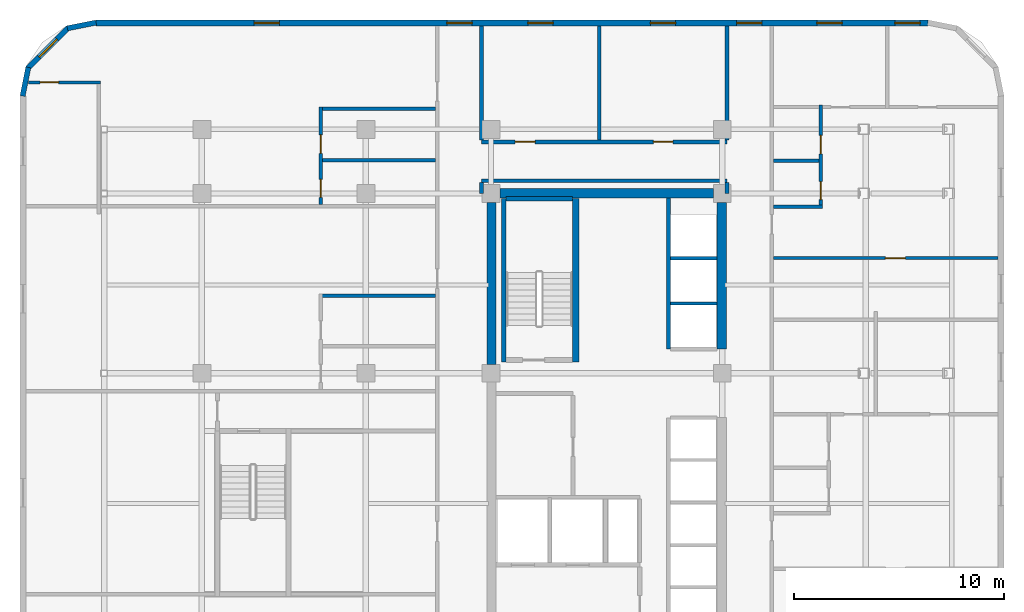
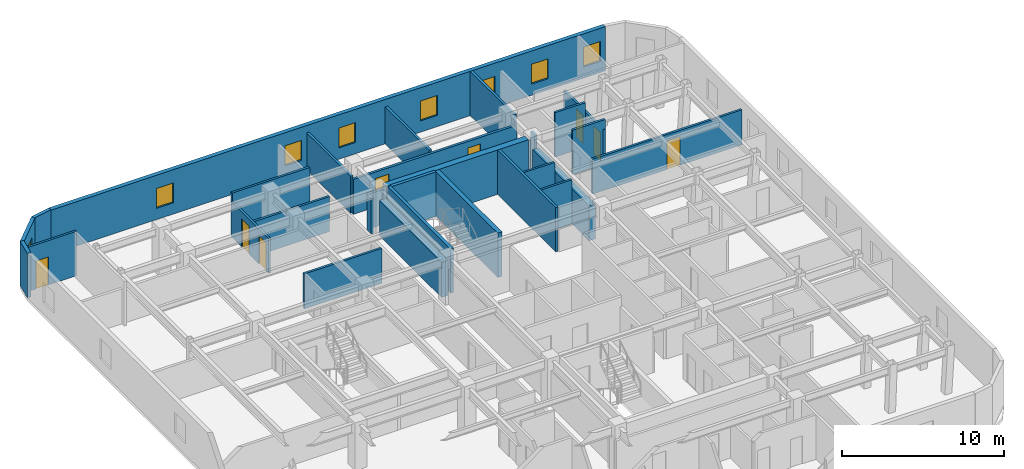
# One storey, part 11 of 13: 29 walls, 8 doors, 8 windows, 16 openings.
"""IFC4 building model written with IfcOpenShell, lengths in metres."""

from ifc_helpers import new_model, si_unit, direction, frame, frame_2d, origin, place, context, subcontext, project, spatial, rectangle, extrude, material, layer, layer_set, type_object, element, fill, save


model = new_model("IFC4")

# Units and contexts
model_context = context("Model", 3, precision=1e-05, world=origin(), true_north=direction((0.0, 1.0)))
body_context = subcontext(model_context, "Body", "Model", "MODEL_VIEW")
ifc_project = project(units=[si_unit("LENGTHUNIT", "METRE"), si_unit("AREAUNIT", "SQUARE_METRE"), si_unit("VOLUMEUNIT", "CUBIC_METRE"), si_unit("PLANEANGLEUNIT", "RADIAN"), si_unit("MASSUNIT", "GRAM", prefix="KILO")], contexts=[model_context])

# Site, building, storey
site_placement = place(None, origin())
site = spatial("IfcSite", under=ifc_project, at=site_placement, CompositionType="ELEMENT")
building_placement = place(site_placement, origin())
building = spatial("IfcBuilding", under=site, at=building_placement, Name="Ochreholt Gables", CompositionType="ELEMENT")
storey_placement = place(building_placement, frame((0.0, 0.0, 56.39990234375)))
storey = spatial("IfcBuildingStorey", under=building, at=storey_placement, Name="L14", CompositionType="ELEMENT", Elevation=56.39990234375)

# Walls
ifc_material_1 = material(Name="Concrete 60 MPa", Category="concrete")
ifc_layer_1 = layer(ifc_material_1, 0.449951171875, Name="Concrete 60 MPa")
ifc_layer_set_1 = layer_set([ifc_layer_1], Name="Concrete 60 MPa")
wall_type_1 = type_object("IfcWallType", Name="WALL-CSW-450", PredefinedType="SHEAR", material=ifc_layer_set_1)
wall_1_placement = place(storey_placement, frame((24.22509765625, 30.625, 0.0), z_axis=(0.0, 0.0, 1.0), x_axis=(0.0, 1.0, 0.0)))
element("IfcWall", 1, at=wall_1_placement, inside=storey, type_object=wall_type_1, Name="L14 Core West Shear Wall WN", PredefinedType="SHEAR", context=body_context, shape_type="SweptSolid", body=[
    extrude(rectangle(XDim=7.699951171875, YDim=0.449951171875, at=frame_2d((3.85009765625, 0.0))), origin(), (0.0, 0.0, 1.0), 2.656982421875),
])
wall_2_placement = place(storey_placement, frame((35.175048828125, 31.35009765625, 0.0), z_axis=(0.0, 0.0, 1.0), x_axis=(0.0, 1.0, 0.0)))
element("IfcWall", 2, at=wall_2_placement, inside=storey, type_object=wall_type_1, Name="L14 Core North-East Shear Wall", PredefinedType="SHEAR", context=body_context, shape_type="SweptSolid", body=[
    extrude(rectangle(XDim=6.974853515625, YDim=0.449951171875, at=frame_2d((3.4873046875, 0.0))), origin(), (0.0, 0.0, 1.0), 2.656982421875),
])
wall_3_placement = place(storey_placement, frame((24.625, 38.75, 0.0), z_axis=(0.0, 0.0, 1.0), x_axis=(1.0, 0.0, 0.0)))
element("IfcWall", 3, at=wall_3_placement, inside=storey, type_object=wall_type_1, Name="L14 Core North Shear Wall", PredefinedType="SHEAR", context=body_context, shape_type="SweptSolid", body=[
    extrude(rectangle(XDim=10.14990234375, YDim=0.449951171875, at=frame_2d((5.074951171875, 0.0))), origin(), (0.0, 0.0, 1.0), 3.35009765625),
])

# Wall, openings, windows
ifc_material_2 = material(Name="Precast concrete 40 MPa", Category="concrete")
ifc_layer_2 = layer(ifc_material_2, 0.2900390625, Name="Precast concrete 40 MPa")
ifc_layer_set_2 = layer_set([ifc_layer_2], Name="Precast concrete 40 MPa")
wall_type_2 = type_object("IfcWallType", Name="WALL-EXT-290", PredefinedType="SOLIDWALL", material=ifc_layer_set_2)
wall_4_placement = place(storey_placement, frame((44.97998046875, 46.85498046875, 0.0), z_axis=(0.0, 0.0, 1.0), x_axis=(-1.0, 0.0, 0.0)))
wall_4 = element("IfcWall", 4, at=wall_4_placement, inside=storey, type_object=wall_type_2, Name="L14 North Exterior Wall", PredefinedType="SOLIDWALL", context=body_context, shape_type="SweptSolid", body=[
    extrude(rectangle(XDim=39.56005859375, YDim=0.2900390625, at=frame_2d((19.780029296875, 0.0))), origin(), (0.0, 0.0, 1.0), 3.35009765625),
])
opening_1_placement = place(wall_4_placement, frame((30.844970703125, 0.0, 0.85009765625)))
opening_1 = element("IfcOpeningElement", 5, at=opening_1_placement, cuts=wall_4, Name="Opening WN-3", PredefinedType="OPENING", context=body_context, shape_type="SweptSolid", body=[
    extrude(rectangle(XDim=1.199951171875, YDim=1.5, at=frame_2d((0.60009765625, 0.75))), frame((0.0, 0.155029296875, 0.0), z_axis=(0.0, -1.0, 0.0), x_axis=(1.0, 0.0, 0.0)), (0.0, 0.0, 1.0), 0.31005859375),
])
opening_2_placement = place(wall_4_placement, frame((21.679931640625, 0.0, 0.85009765625)))
opening_2 = element("IfcOpeningElement", 6, at=opening_2_placement, cuts=wall_4, Name="Opening WN-3", PredefinedType="OPENING", context=body_context, shape_type="SweptSolid", body=[
    extrude(rectangle(XDim=1.199951171875, YDim=1.5, at=frame_2d((0.60009765625, 0.75))), frame((0.0, 0.155029296875, 0.0), z_axis=(0.0, -1.0, 0.0), x_axis=(1.0, 0.0, 0.0)), (0.0, 0.0, 1.0), 0.31005859375),
])
opening_3_placement = place(wall_4_placement, frame((17.8291015625, 0.0, 0.85009765625)))
opening_3 = element("IfcOpeningElement", 7, at=opening_3_placement, cuts=wall_4, Name="Opening WN-3", PredefinedType="OPENING", context=body_context, shape_type="SweptSolid", body=[
    extrude(rectangle(XDim=1.199951171875, YDim=1.5, at=frame_2d((0.60009765625, 0.75))), frame((0.0, 0.155029296875, 0.0), z_axis=(0.0, -1.0, 0.0), x_axis=(1.0, 0.0, 0.0)), (0.0, 0.0, 1.0), 0.31005859375),
])
opening_4_placement = place(wall_4_placement, frame((11.994140625, 0.0, 0.85009765625)))
opening_4 = element("IfcOpeningElement", 8, at=opening_4_placement, cuts=wall_4, Name="Opening WN-3", PredefinedType="OPENING", context=body_context, shape_type="SweptSolid", body=[
    extrude(rectangle(XDim=1.199951171875, YDim=1.5, at=frame_2d((0.60009765625, 0.75))), frame((0.0, 0.155029296875, 0.0), z_axis=(0.0, -1.0, 0.0), x_axis=(1.0, 0.0, 0.0)), (0.0, 0.0, 1.0), 0.31005859375),
])
opening_5_placement = place(wall_4_placement, frame((7.89501953125, 0.0, 0.85009765625)))
opening_5 = element("IfcOpeningElement", 9, at=opening_5_placement, cuts=wall_4, Name="Opening WN-3", PredefinedType="OPENING", context=body_context, shape_type="SweptSolid", body=[
    extrude(rectangle(XDim=1.199951171875, YDim=1.5, at=frame_2d((0.60009765625, 0.75))), frame((0.0, 0.155029296875, 0.0), z_axis=(0.0, -1.0, 0.0), x_axis=(1.0, 0.0, 0.0)), (0.0, 0.0, 1.0), 0.31005859375),
])
opening_6_placement = place(wall_4_placement, frame((4.08251953125, 0.0, 0.85009765625)))
opening_6 = element("IfcOpeningElement", 10, at=opening_6_placement, cuts=wall_4, Name="Opening WN-3", PredefinedType="OPENING", context=body_context, shape_type="SweptSolid", body=[
    extrude(rectangle(XDim=1.199951171875, YDim=1.5, at=frame_2d((0.60009765625, 0.75))), frame((0.0, 0.155029296875, 0.0), z_axis=(0.0, -1.0, 0.0), x_axis=(1.0, 0.0, 0.0)), (0.0, 0.0, 1.0), 0.31005859375),
])
opening_7_placement = place(wall_4_placement, frame((0.367431640625, 0.0, 0.85009765625)))
opening_7 = element("IfcOpeningElement", 11, at=opening_7_placement, cuts=wall_4, Name="Opening WN-3", PredefinedType="OPENING", context=body_context, shape_type="SweptSolid", body=[
    extrude(rectangle(XDim=1.199951171875, YDim=1.5, at=frame_2d((0.60009765625, 0.75))), frame((0.0, 0.155029296875, 0.0), z_axis=(0.0, -1.0, 0.0), x_axis=(1.0, 0.0, 0.0)), (0.0, 0.0, 1.0), 0.31005859375),
])
ifc_material_3 = material(Name="Triple-Glazed Thermally Broken Aluminium Window", Category="aluminium")
window_type = type_object("IfcWindowType", Name="WIN-RES-1200", PartitioningType="SINGLE_PANEL", PredefinedType="WINDOW", material=ifc_material_3)
window_1_placement = place(opening_1_placement, origin())
window_1 = element("IfcWindow", 12, at=window_1_placement, inside=storey, type_object=window_type, Name="L14 Window W-EXT-N-L14-1", OverallHeight=1.5, OverallWidth=1.199951171875, PartitioningType="SINGLE_PANEL", PredefinedType="WINDOW", context=body_context, shape_type="SweptSolid", body=[
    extrude(rectangle(XDim=1.199951171875, YDim=1.5, at=frame_2d((0.60009765625, 0.75))), frame((0.0, 0.030029296875, 0.0), z_axis=(0.0, -1.0, 0.0), x_axis=(1.0, 0.0, 0.0)), (0.0, 0.0, 1.0), 0.06005859375),
])
fill(opening_1, window_1)
window_2_placement = place(opening_2_placement, origin())
window_2 = element("IfcWindow", 13, at=window_2_placement, inside=storey, type_object=window_type, Name="L14 Window W-EXT-N-L14-2", OverallHeight=1.5, OverallWidth=1.199951171875, PartitioningType="SINGLE_PANEL", PredefinedType="WINDOW", context=body_context, shape_type="SweptSolid", body=[
    extrude(rectangle(XDim=1.199951171875, YDim=1.5, at=frame_2d((0.60009765625, 0.75))), frame((0.0, 0.030029296875, 0.0), z_axis=(0.0, -1.0, 0.0), x_axis=(1.0, 0.0, 0.0)), (0.0, 0.0, 1.0), 0.06005859375),
])
fill(opening_2, window_2)
window_3_placement = place(opening_3_placement, origin())
window_3 = element("IfcWindow", 14, at=window_3_placement, inside=storey, type_object=window_type, Name="L14 Window W-EXT-N-L14-3", OverallHeight=1.5, OverallWidth=1.199951171875, PartitioningType="SINGLE_PANEL", PredefinedType="WINDOW", context=body_context, shape_type="SweptSolid", body=[
    extrude(rectangle(XDim=1.199951171875, YDim=1.5, at=frame_2d((0.60009765625, 0.75))), frame((0.0, 0.030029296875, 0.0), z_axis=(0.0, -1.0, 0.0), x_axis=(1.0, 0.0, 0.0)), (0.0, 0.0, 1.0), 0.06005859375),
])
fill(opening_3, window_3)
window_4_placement = place(opening_4_placement, origin())
window_4 = element("IfcWindow", 15, at=window_4_placement, inside=storey, type_object=window_type, Name="L14 Window W-EXT-N-L14-4", OverallHeight=1.5, OverallWidth=1.199951171875, PartitioningType="SINGLE_PANEL", PredefinedType="WINDOW", context=body_context, shape_type="SweptSolid", body=[
    extrude(rectangle(XDim=1.199951171875, YDim=1.5, at=frame_2d((0.60009765625, 0.75))), frame((0.0, 0.030029296875, 0.0), z_axis=(0.0, -1.0, 0.0), x_axis=(1.0, 0.0, 0.0)), (0.0, 0.0, 1.0), 0.06005859375),
])
fill(opening_4, window_4)
window_5_placement = place(opening_5_placement, origin())
window_5 = element("IfcWindow", 16, at=window_5_placement, inside=storey, type_object=window_type, Name="L14 Window W-EXT-N-L14-5", OverallHeight=1.5, OverallWidth=1.199951171875, PartitioningType="SINGLE_PANEL", PredefinedType="WINDOW", context=body_context, shape_type="SweptSolid", body=[
    extrude(rectangle(XDim=1.199951171875, YDim=1.5, at=frame_2d((0.60009765625, 0.75))), frame((0.0, 0.030029296875, 0.0), z_axis=(0.0, -1.0, 0.0), x_axis=(1.0, 0.0, 0.0)), (0.0, 0.0, 1.0), 0.06005859375),
])
fill(opening_5, window_5)
window_6_placement = place(opening_6_placement, origin())
window_6 = element("IfcWindow", 17, at=window_6_placement, inside=storey, type_object=window_type, Name="L14 Window W-EXT-N-L14-6", OverallHeight=1.5, OverallWidth=1.199951171875, PartitioningType="SINGLE_PANEL", PredefinedType="WINDOW", context=body_context, shape_type="SweptSolid", body=[
    extrude(rectangle(XDim=1.199951171875, YDim=1.5, at=frame_2d((0.60009765625, 0.75))), frame((0.0, 0.030029296875, 0.0), z_axis=(0.0, -1.0, 0.0), x_axis=(1.0, 0.0, 0.0)), (0.0, 0.0, 1.0), 0.06005859375),
])
fill(opening_6, window_6)
window_7_placement = place(opening_7_placement, origin())
window_7 = element("IfcWindow", 18, at=window_7_placement, inside=storey, type_object=window_type, Name="L14 Window W-EXT-N-L14-7", OverallHeight=1.5, OverallWidth=1.199951171875, PartitioningType="SINGLE_PANEL", PredefinedType="WINDOW", context=body_context, shape_type="SweptSolid", body=[
    extrude(rectangle(XDim=1.199951171875, YDim=1.5, at=frame_2d((0.60009765625, 0.75))), frame((0.0, 0.030029296875, 0.0), z_axis=(0.0, -1.0, 0.0), x_axis=(1.0, 0.0, 0.0)), (0.0, 0.0, 1.0), 0.06005859375),
])
fill(opening_7, window_7)

# Wall
ifc_layer_3 = layer(ifc_material_2, 0.25, Name="Precast concrete 40 MPa")
ifc_layer_set_3 = layer_set([ifc_layer_3], Name="Precast concrete 40 MPa")
wall_type_3 = type_object("IfcWallType", Name="WALL-EXT-CNR", PredefinedType="SOLIDWALL", material=ifc_layer_set_3)
wall_5_placement = place(storey_placement, frame((5.41650390625, 46.875732421875, 0.0), z_axis=(0.0, 0.0, 1.0), x_axis=(-0.980809899341, -0.19496651342, 0.0)))
element("IfcWall", 19, at=wall_5_placement, inside=storey, type_object=wall_type_3, Name="L14 Rounded Corner Wall NW-1", PredefinedType="SOLIDWALL", context=body_context, shape_type="SweptSolid", body=[
    extrude(rectangle(XDim=1.388671875, YDim=0.25, at=frame_2d((0.6943359375, 0.0))), origin(), (0.0, 0.0, 1.0), 3.35009765625),
])

# Wall, opening, window
wall_6_placement = place(storey_placement, frame((4.10498046875, 46.632080078125, 0.0), z_axis=(0.0, 0.0, 1.0), x_axis=(-0.707106781187, -0.707106781187, 0.0)))
wall_6 = element("IfcWall", 20, at=wall_6_placement, inside=storey, type_object=wall_type_3, Name="L14 Rounded Corner Wall NW-2", PredefinedType="SOLIDWALL", context=body_context, shape_type="SweptSolid", body=[
    extrude(rectangle(XDim=2.7392578125, YDim=0.25, at=frame_2d((1.36962890625, 0.0))), origin(), (0.0, 0.0, 1.0), 3.35009765625),
])
opening_8_placement = place(wall_6_placement, frame((0.769775390625, 0.0, 0.85009765625)))
opening_8 = element("IfcOpeningElement", 21, at=opening_8_placement, cuts=wall_6, Name="Opening WN-3", PredefinedType="OPENING", context=body_context, shape_type="SweptSolid", body=[
    extrude(rectangle(XDim=1.199951171875, YDim=1.5, at=frame_2d((0.60009765625, 0.75))), frame((0.0, 0.135009765625, 0.0), z_axis=(0.0, -1.0, 0.0), x_axis=(1.0, 0.0, 0.0)), (0.0, 0.0, 1.0), 0.27001953125),
])
window_8_placement = place(opening_8_placement, origin())
window_8 = element("IfcWindow", 22, at=window_8_placement, inside=storey, type_object=window_type, Name="L14 Corner Bedroom Window NW", OverallHeight=1.5, OverallWidth=1.199951171875, PartitioningType="SINGLE_PANEL", PredefinedType="WINDOW", context=body_context, shape_type="SweptSolid", body=[
    extrude(rectangle(XDim=1.199951171875, YDim=1.5, at=frame_2d((0.60009765625, 0.75))), frame((0.0, 0.030029296875, 0.0), z_axis=(0.0, -1.0, 0.0), x_axis=(1.0, 0.0, 0.0)), (0.0, 0.0, 1.0), 0.06005859375),
])
fill(opening_8, window_8)

# Wall
wall_7_placement = place(storey_placement, frame((2.195068359375, 44.74560546875, 0.0), z_axis=(0.0, 0.0, 1.0), x_axis=(-0.19496651342, -0.980809899341, 0.0)))
element("IfcWall", 23, at=wall_7_placement, inside=storey, type_object=wall_type_3, Name="L14 Rounded Corner Wall NW-3", PredefinedType="SOLIDWALL", context=body_context, shape_type="SweptSolid", body=[
    extrude(rectangle(XDim=1.388671875, YDim=0.25, at=frame_2d((0.6943359375, 0.0))), origin(), (0.0, 0.0, 1.0), 3.35009765625),
])

# Wall, openings, doors
ifc_material_4 = material(Name="Fire-Rated Gypsum Acoustic Partition", Category="gypsum")
ifc_layer_4 = layer(ifc_material_4, 0.179931640625, Name="Fire-Rated Gypsum Acoustic Partition")
ifc_layer_set_4 = layer_set([ifc_layer_4], Name="Fire-Rated Gypsum Acoustic Partition")
wall_type_4 = type_object("IfcWallType", Name="WALL-INT-CR180", PredefinedType="STANDARD", material=ifc_layer_set_4)
wall_8_placement = place(storey_placement, frame((23.75, 41.199951171875, 0.0), z_axis=(0.0, 0.0, 1.0), x_axis=(1.0, 0.0, 0.0)))
wall_8 = element("IfcWall", 24, at=wall_8_placement, inside=storey, type_object=wall_type_4, Name="L14 Interior Wall WI-C1N-L14", PredefinedType="STANDARD", context=body_context, shape_type="SweptSolid", body=[
    extrude(rectangle(XDim=11.669921875, YDim=0.179931640625, at=frame_2d((5.8349609375, 0.0))), origin(), (0.0, 0.0, 1.0), 2.63916015625),
])
opening_9_placement = place(wall_8_placement, frame((1.60009765625, 0.0, 0.0)))
opening_9 = element("IfcOpeningElement", 25, at=opening_9_placement, cuts=wall_8, Name="Opening D-GN1", PredefinedType="OPENING", context=body_context, shape_type="SweptSolid", body=[
    extrude(rectangle(XDim=0.949951171875, YDim=2.14990234375, at=frame_2d((0.47509765625, 1.074951171875))), frame((0.0, 0.099853515625, 0.0), z_axis=(0.0, -1.0, 0.0), x_axis=(1.0, 0.0, 0.0)), (0.0, 0.0, 1.0), 0.199951171875),
])
opening_10_placement = place(wall_8_placement, frame((8.17578125, 0.0, 0.0)))
opening_10 = element("IfcOpeningElement", 26, at=opening_10_placement, cuts=wall_8, Name="Opening D-UN1", PredefinedType="OPENING", context=body_context, shape_type="SweptSolid", body=[
    extrude(rectangle(XDim=0.919921875, YDim=2.14990234375, at=frame_2d((0.4599609375, 1.074951171875))), frame((0.0, 0.099853515625, 0.0), z_axis=(0.0, -1.0, 0.0), x_axis=(1.0, 0.0, 0.0)), (0.0, 0.0, 1.0), 0.199951171875),
])
ifc_material_5 = material(Name="Engineered Oak Timber", Category="wood")
door_type_1 = type_object("IfcDoorType", Name="DR-INT-GEN950", OperationType="NOTDEFINED", PredefinedType="DOOR", material=ifc_material_5)
door_1_placement = place(opening_9_placement, origin())
door_1 = element("IfcDoor", 27, at=door_1_placement, inside=storey, type_object=door_type_1, Name="L14 Door D-C1NL-L14", OperationType="SINGLE_SWING_RIGHT", OverallHeight=2.14990234375, OverallWidth=0.949951171875, PredefinedType="DOOR", context=body_context, shape_type="SweptSolid", body=[
    extrude(rectangle(XDim=0.949951171875, YDim=2.14990234375, at=frame_2d((0.47509765625, 1.074951171875))), frame((0.0, 0.02490234375, 0.0), z_axis=(0.0, -1.0, 0.0), x_axis=(1.0, 0.0, 0.0)), (0.0, 0.0, 1.0), 0.050048828125),
])
fill(opening_9, door_1)
door_type_2 = type_object("IfcDoorType", Name="DR-INT-UNT920", OperationType="NOTDEFINED", PredefinedType="DOOR", material=ifc_material_5)
door_2_placement = place(opening_10_placement, origin())
door_2 = element("IfcDoor", 28, at=door_2_placement, inside=storey, type_object=door_type_2, Name="L14 Door D-U-L14N1-ENT", OperationType="SINGLE_SWING_RIGHT", OverallHeight=2.14990234375, OverallWidth=0.919921875, PredefinedType="DOOR", context=body_context, shape_type="SweptSolid", body=[
    extrude(rectangle(XDim=0.919921875, YDim=2.14990234375, at=frame_2d((0.4599609375, 1.074951171875))), frame((0.0, 0.02490234375, 0.0), z_axis=(0.0, -1.0, 0.0), x_axis=(1.0, 0.0, 0.0)), (0.0, 0.0, 1.0), 0.050048828125),
])
fill(opening_10, door_2)

# Walls
wall_9_placement = place(storey_placement, frame((23.75, 39.35009765625, 0.0), z_axis=(0.0, 0.0, 1.0), x_axis=(1.0, 0.0, 0.0)))
element("IfcWall", 29, at=wall_9_placement, inside=storey, type_object=wall_type_4, Name="L14 Interior Wall WI-C1N2-L14", PredefinedType="STANDARD", context=body_context, shape_type="SweptSolid", body=[
    extrude(rectangle(XDim=11.669921875, YDim=0.179931640625, at=frame_2d((5.8349609375, 0.0))), origin(), (0.0, 0.0, 1.0), 2.63916015625),
])
wall_10_placement = place(storey_placement, frame((35.419921875, 38.75, 0.0), z_axis=(0.0, 0.0, 1.0), x_axis=(0.0, 1.0, 0.0)))
element("IfcWall", 30, at=wall_10_placement, inside=storey, type_object=wall_type_4, Name="L14 Interior Wall WI-C1ENW2-L14", PredefinedType="STANDARD", context=body_context, shape_type="SweptSolid", body=[
    extrude(rectangle(XDim=0.510009765625, YDim=0.179931640625, at=frame_2d((0.2548828125, 0.0))), origin(), (0.0, 0.0, 1.0), 3.35009765625),
])
wall_11_placement = place(storey_placement, frame((23.75, 38.75, 0.0), z_axis=(0.0, 0.0, 1.0), x_axis=(0.0, 1.0, 0.0)))
element("IfcWall", 31, at=wall_11_placement, inside=storey, type_object=wall_type_4, Name="L14 Interior Wall WI-C1NWA2-L14", PredefinedType="STANDARD", context=body_context, shape_type="SweptSolid", body=[
    extrude(rectangle(XDim=0.510009765625, YDim=0.179931640625, at=frame_2d((0.2548828125, 0.0))), origin(), (0.0, 0.0, 1.0), 2.63916015625),
])
ifc_material_6 = material(Name="Double-Stud Acoustic Demising Wall", Category="gypsum")
ifc_layer_5 = layer(ifc_material_6, 0.179931640625, Name="Double-Stud Acoustic Demising Wall")
ifc_layer_set_5 = layer_set([ifc_layer_5], Name="Double-Stud Acoustic Demising Wall")
wall_type_5 = type_object("IfcWallType", Name="WALL-INT-DM180", PredefinedType="PARTITIONING", material=ifc_layer_set_5)
wall_12_placement = place(storey_placement, frame((35.419921875, 41.2900390625, 0.0), z_axis=(0.0, 0.0, 1.0), x_axis=(0.0, 1.0, 0.0)))
element("IfcWall", 32, at=wall_12_placement, inside=storey, type_object=wall_type_5, Name="L14 Interior Wall WI-C1ENW-L14", PredefinedType="PARTITIONING", context=body_context, shape_type="SweptSolid", body=[
    extrude(rectangle(XDim=5.419921875, YDim=0.179931640625, at=frame_2d((2.7099609375, 0.0))), origin(), (0.0, 0.0, 1.0), 3.35009765625),
])
for number, where, z_axis, x_axis, name in (
    (33, (23.75, 41.2900390625, 0.0), (0.0, 0.0, 1.0), (0.0, 1.0, 0.0), "L14 Interior Wall WI-C1NWA-L14"),
    (34, (29.3515625, 41.2900390625, 0.0), (0.0, 0.0, 1.0), (0.0, 1.0, 0.0), "L14 Interior Wall WI-UDN1-L14"),
):
    element("IfcWall", number, at=place(storey_placement, frame(where, z_axis=z_axis, x_axis=x_axis)), inside=storey, type_object=wall_type_5, Name=name, PredefinedType="PARTITIONING", context=body_context, shape_type="SweptSolid", body=[
        extrude(rectangle(XDim=5.419921875, YDim=0.179931640625, at=frame_2d((2.7099609375, 0.0))), origin(), (0.0, 0.0, 1.0), 2.799072265625),
    ])
ifc_material_7 = material(Name="Moisture-Resistant Plumbing Chase Wall", Category="gypsum")
ifc_layer_6 = layer(ifc_material_7, 0.159912109375, Name="Moisture-Resistant Plumbing Chase Wall")
ifc_layer_set_6 = layer_set([ifc_layer_6], Name="Moisture-Resistant Plumbing Chase Wall")
wall_type_6 = type_object("IfcWallType", Name="WALL-INT-PL160", PredefinedType="PLUMBINGWALL", material=ifc_layer_set_6)
wall_13_placement = place(storey_placement, frame((37.639892578125, 38.12451171875, 0.0), z_axis=(0.0, 0.0, 1.0), x_axis=(1.0, 0.0, 0.0)))
element("IfcWall", 35, at=wall_13_placement, inside=storey, type_object=wall_type_6, Name="L14 Interior Wall WU-L14E3-FYS", PredefinedType="PLUMBINGWALL", context=body_context, shape_type="SweptSolid", body=[
    extrude(rectangle(XDim=2.330078125, YDim=0.159912109375, at=frame_2d((1.1650390625, 0.0))), origin(), (0.0, 0.0, 1.0), 3.35009765625),
])

# Wall, openings, doors
wall_14_placement = place(storey_placement, frame((39.889892578125, 38.034423828125, 0.0), z_axis=(0.0, 0.0, 1.0), x_axis=(0.0, 1.0, 0.0)))
wall_14 = element("IfcWall", 36, at=wall_14_placement, inside=storey, type_object=wall_type_6, Name="L14 Interior Wall WU-L14E3-WX", PredefinedType="PLUMBINGWALL", context=body_context, shape_type="SweptSolid", body=[
    extrude(rectangle(XDim=4.91552734375, YDim=0.159912109375, at=frame_2d((2.457763671875, 0.0))), origin(), (0.0, 0.0, 1.0), 2.63916015625),
])
opening_11_placement = place(wall_14_placement, frame((0.419921875, 0.0, 0.0)))
opening_11 = element("IfcOpeningElement", 37, at=opening_11_placement, cuts=wall_14, Name="Opening D-BT1", PredefinedType="OPENING", context=body_context, shape_type="SweptSolid", body=[
    extrude(rectangle(XDim=0.860107421875, YDim=2.1201171875, at=frame_2d((0.43017578125, 1.06005859375))), frame((0.0, 0.08984375, 0.0), z_axis=(0.0, -1.0, 0.0), x_axis=(1.0, 0.0, 0.0)), (0.0, 0.0, 1.0), 0.179931640625),
])
opening_12_placement = place(wall_14_placement, frame((2.598388671875, 0.0, 0.0)))
opening_12 = element("IfcOpeningElement", 38, at=opening_12_placement, cuts=wall_14, Name="Opening D-GN2", PredefinedType="OPENING", context=body_context, shape_type="SweptSolid", body=[
    extrude(rectangle(XDim=0.8798828125, YDim=2.1201171875, at=frame_2d((0.43994140625, 1.06005859375))), frame((0.0, 0.08984375, 0.0), z_axis=(0.0, -1.0, 0.0), x_axis=(1.0, 0.0, 0.0)), (0.0, 0.0, 1.0), 0.179931640625),
])
door_type_3 = type_object("IfcDoorType", Name="DR-INT-BTH860", OperationType="NOTDEFINED", PredefinedType="DOOR", material=ifc_material_5)
door_3_placement = place(opening_11_placement, origin())
door_3 = element("IfcDoor", 39, at=door_3_placement, inside=storey, type_object=door_type_3, Name="L14 Door D-U-L14E3-BTH", OperationType="SINGLE_SWING_LEFT", OverallHeight=2.1201171875, OverallWidth=0.860107421875, PredefinedType="DOOR", context=body_context, shape_type="SweptSolid", body=[
    extrude(rectangle(XDim=0.860107421875, YDim=2.1201171875, at=frame_2d((0.43017578125, 1.06005859375))), frame((0.0, 0.02490234375, 0.0), z_axis=(0.0, -1.0, 0.0), x_axis=(1.0, 0.0, 0.0)), (0.0, 0.0, 1.0), 0.050048828125),
])
fill(opening_11, door_3)
door_type_4 = type_object("IfcDoorType", Name="DR-INT-GEN880", OperationType="NOTDEFINED", PredefinedType="DOOR", material=ifc_material_5)
door_4_placement = place(opening_12_placement, origin())
door_4 = element("IfcDoor", 40, at=door_4_placement, inside=storey, type_object=door_type_4, Name="L14 Door D-U-L14E3-KIT", OperationType="SINGLE_SWING_RIGHT", OverallHeight=2.1201171875, OverallWidth=0.8798828125, PredefinedType="DOOR", context=body_context, shape_type="SweptSolid", body=[
    extrude(rectangle(XDim=0.8798828125, YDim=2.1201171875, at=frame_2d((0.43994140625, 1.06005859375))), frame((0.0, 0.02490234375, 0.0), z_axis=(0.0, -1.0, 0.0), x_axis=(1.0, 0.0, 0.0)), (0.0, 0.0, 1.0), 0.050048828125),
])
fill(opening_12, door_4)

# Walls
wall_15_placement = place(storey_placement, frame((37.639892578125, 40.302734375, 0.0), z_axis=(0.0, 0.0, 1.0), x_axis=(1.0, 0.0, 0.0)))
element("IfcWall", 41, at=wall_15_placement, inside=storey, type_object=wall_type_6, Name="L14 Interior Wall WU-L14E3-WK", PredefinedType="PLUMBINGWALL", context=body_context, shape_type="SweptSolid", body=[
    extrude(rectangle(XDim=2.170166015625, YDim=0.159912109375, at=frame_2d((1.0849609375, 0.0))), origin(), (0.0, 0.0, 1.0), 3.35009765625),
])
wall_16_placement = place(storey_placement, frame((16.030029296875, 33.8798828125, 0.0), z_axis=(0.0, 0.0, 1.0), x_axis=(1.0, 0.0, 0.0)))
element("IfcWall", 42, at=wall_16_placement, inside=storey, type_object=wall_type_6, Name="L14 Interior Wall WU-L14W3-WYN", PredefinedType="PLUMBINGWALL", context=body_context, shape_type="SweptSolid", body=[
    extrude(rectangle(XDim=5.530029296875, YDim=0.159912109375, at=frame_2d((2.76513671875, 0.0))), origin(), (0.0, 0.0, 1.0), 2.63916015625),
])
wall_17_placement = place(storey_placement, frame((16.030029296875, 42.780029296875, 0.0), z_axis=(0.0, 0.0, 1.0), x_axis=(1.0, 0.0, 0.0)))
element("IfcWall", 43, at=wall_17_placement, inside=storey, type_object=wall_type_6, Name="L14 Interior Wall WU-L14W4-WYN", PredefinedType="PLUMBINGWALL", context=body_context, shape_type="SweptSolid", body=[
    extrude(rectangle(XDim=5.530029296875, YDim=0.159912109375, at=frame_2d((2.76513671875, 0.0))), origin(), (0.0, 0.0, 1.0), 3.35009765625),
])

# Wall, openings, doors
wall_18_placement = place(storey_placement, frame((16.110107421875, 38.22998046875, 0.0), z_axis=(0.0, 0.0, 1.0), x_axis=(0.0, 1.0, 0.0)))
wall_18 = element("IfcWall", 44, at=wall_18_placement, inside=storey, type_object=wall_type_6, Name="L14 Interior Wall WU-L14W4-WX", PredefinedType="PLUMBINGWALL", context=body_context, shape_type="SweptSolid", body=[
    extrude(rectangle(XDim=4.64013671875, YDim=0.159912109375, at=frame_2d((2.320068359375, 0.0))), origin(), (0.0, 0.0, 1.0), 2.63916015625),
])
opening_13_placement = place(wall_18_placement, frame((0.330078125, 0.0, 0.0)))
opening_13 = element("IfcOpeningElement", 45, at=opening_13_placement, cuts=wall_18, Name="Opening D-BT1", PredefinedType="OPENING", context=body_context, shape_type="SweptSolid", body=[
    extrude(rectangle(XDim=0.860107421875, YDim=2.1201171875, at=frame_2d((0.43017578125, 1.06005859375))), frame((0.0, 0.08984375, 0.0), z_axis=(0.0, -1.0, 0.0), x_axis=(1.0, 0.0, 0.0)), (0.0, 0.0, 1.0), 0.179931640625),
])
opening_14_placement = place(wall_18_placement, frame((2.423095703125, 0.0, 0.0)))
opening_14 = element("IfcOpeningElement", 46, at=opening_14_placement, cuts=wall_18, Name="Opening D-GN2", PredefinedType="OPENING", context=body_context, shape_type="SweptSolid", body=[
    extrude(rectangle(XDim=0.8798828125, YDim=2.1201171875, at=frame_2d((0.43994140625, 1.06005859375))), frame((0.0, 0.08984375, 0.0), z_axis=(0.0, -1.0, 0.0), x_axis=(1.0, 0.0, 0.0)), (0.0, 0.0, 1.0), 0.179931640625),
])
door_5_placement = place(opening_13_placement, origin())
door_5 = element("IfcDoor", 47, at=door_5_placement, inside=storey, type_object=door_type_3, Name="L14 Door D-U-L14W4-BTH", OperationType="SINGLE_SWING_LEFT", OverallHeight=2.1201171875, OverallWidth=0.860107421875, PredefinedType="DOOR", context=body_context, shape_type="SweptSolid", body=[
    extrude(rectangle(XDim=0.860107421875, YDim=2.1201171875, at=frame_2d((0.43017578125, 1.06005859375))), frame((0.0, 0.02490234375, 0.0), z_axis=(0.0, -1.0, 0.0), x_axis=(1.0, 0.0, 0.0)), (0.0, 0.0, 1.0), 0.050048828125),
])
fill(opening_13, door_5)
door_6_placement = place(opening_14_placement, origin())
door_6 = element("IfcDoor", 48, at=door_6_placement, inside=storey, type_object=door_type_4, Name="L14 Door D-U-L14W4-KIT", OperationType="SINGLE_SWING_RIGHT", OverallHeight=2.1201171875, OverallWidth=0.8798828125, PredefinedType="DOOR", context=body_context, shape_type="SweptSolid", body=[
    extrude(rectangle(XDim=0.8798828125, YDim=2.1201171875, at=frame_2d((0.43994140625, 1.06005859375))), frame((0.0, 0.02490234375, 0.0), z_axis=(0.0, -1.0, 0.0), x_axis=(1.0, 0.0, 0.0)), (0.0, 0.0, 1.0), 0.050048828125),
])
fill(opening_14, door_6)

# Wall
wall_19_placement = place(storey_placement, frame((16.18994140625, 40.322998046875, 0.0), z_axis=(0.0, 0.0, 1.0), x_axis=(1.0, 0.0, 0.0)))
element("IfcWall", 49, at=wall_19_placement, inside=storey, type_object=wall_type_6, Name="L14 Interior Wall WU-L14W4-WM", PredefinedType="PLUMBINGWALL", context=body_context, shape_type="SweptSolid", body=[
    extrude(rectangle(XDim=5.3701171875, YDim=0.159912109375, at=frame_2d((2.68505859375, 0.0))), origin(), (0.0, 0.0, 1.0), 2.63916015625),
])

# Wall, opening, door
ifc_material_8 = material(Name="Gypsum Acoustic Stud Partition", Category="gypsum")
ifc_layer_7 = layer(ifc_material_8, 0.159912109375, Name="Gypsum Acoustic Stud Partition")
ifc_layer_set_7 = layer_set([ifc_layer_7], Name="Gypsum Acoustic Stud Partition")
wall_type_7 = type_object("IfcWallType", Name="WALL-INT-PT160", PredefinedType="PARTITIONING", material=ifc_layer_set_7)
wall_20_placement = place(storey_placement, frame((37.639892578125, 35.678955078125, 0.0), z_axis=(0.0, 0.0, 1.0), x_axis=(1.0, 0.0, 0.0)))
wall_20 = element("IfcWall", 50, at=wall_20_placement, inside=storey, type_object=wall_type_7, Name="L14 Interior Wall WU-L14E3-DNW", PredefinedType="PARTITIONING", context=body_context, shape_type="SweptSolid", body=[
    extrude(rectangle(XDim=10.670166015625, YDim=0.159912109375, at=frame_2d((5.3349609375, 0.0))), origin(), (0.0, 0.0, 1.0), 2.63916015625),
])
opening_15_placement = place(wall_20_placement, frame((5.31494140625, 0.0, 0.0)))
opening_15 = element("IfcOpeningElement", 51, at=opening_15_placement, cuts=wall_20, Name="Opening D-GN1", PredefinedType="OPENING", context=body_context, shape_type="SweptSolid", body=[
    extrude(rectangle(XDim=0.949951171875, YDim=2.14990234375, at=frame_2d((0.47509765625, 1.074951171875))), frame((0.0, 0.08984375, 0.0), z_axis=(0.0, -1.0, 0.0), x_axis=(1.0, 0.0, 0.0)), (0.0, 0.0, 1.0), 0.179931640625),
])
door_7_placement = place(opening_15_placement, origin())
door_7 = element("IfcDoor", 52, at=door_7_placement, inside=storey, type_object=door_type_1, Name="L14 Door D-U-L14E3-DIN", OperationType="SINGLE_SWING_LEFT", OverallHeight=2.14990234375, OverallWidth=0.949951171875, PredefinedType="DOOR", context=body_context, shape_type="SweptSolid", body=[
    extrude(rectangle(XDim=0.949951171875, YDim=2.14990234375, at=frame_2d((0.47509765625, 1.074951171875))), frame((0.0, 0.02490234375, 0.0), z_axis=(0.0, -1.0, 0.0), x_axis=(1.0, 0.0, 0.0)), (0.0, 0.0, 1.0), 0.050048828125),
])
fill(opening_15, door_7)

wall_21_placement = place(storey_placement, frame((2.2158203125, 44.030029296875, 0.0), z_axis=(0.0, 0.0, 1.0), x_axis=(1.0, 0.0, 0.0)))
wall_21 = element("IfcWall", 53, at=wall_21_placement, inside=storey, type_object=wall_type_7, Name="L14 Interior Wall WU-L14W4-STN", PredefinedType="PARTITIONING", context=body_context, shape_type="SweptSolid", body=[
    extrude(rectangle(XDim=3.4140625, YDim=0.159912109375, at=frame_2d((1.70703125, 0.0))), origin(), (0.0, 0.0, 1.0), 3.35009765625),
])
opening_16_placement = place(wall_21_placement, frame((0.5400390625, 0.0, 0.0)))
opening_16 = element("IfcOpeningElement", 54, at=opening_16_placement, cuts=wall_21, Name="Opening D-GN2", PredefinedType="OPENING", context=body_context, shape_type="SweptSolid", body=[
    extrude(rectangle(XDim=0.8798828125, YDim=2.1201171875, at=frame_2d((0.43994140625, 1.06005859375))), frame((0.0, 0.08984375, 0.0), z_axis=(0.0, -1.0, 0.0), x_axis=(1.0, 0.0, 0.0)), (0.0, 0.0, 1.0), 0.179931640625),
])
door_8_placement = place(opening_16_placement, origin())
door_8 = element("IfcDoor", 55, at=door_8_placement, inside=storey, type_object=door_type_4, Name="L14 Door D-U-L14W4-STD", OperationType="SINGLE_SWING_LEFT", OverallHeight=2.1201171875, OverallWidth=0.8798828125, PredefinedType="DOOR", context=body_context, shape_type="SweptSolid", body=[
    extrude(rectangle(XDim=0.8798828125, YDim=2.1201171875, at=frame_2d((0.43994140625, 1.06005859375))), frame((0.0, 0.02490234375, 0.0), z_axis=(0.0, -1.0, 0.0), x_axis=(1.0, 0.0, 0.0)), (0.0, 0.0, 1.0), 0.050048828125),
])
fill(opening_16, door_8)

# Walls
ifc_material_9 = material(Name="Gypsum Shaftliner and Steel Stud", Category="steel")
ifc_layer_8 = layer(ifc_material_9, 0.14990234375, Name="Gypsum Shaftliner and Steel Stud")
ifc_layer_set_8 = layer_set([ifc_layer_8], Name="Gypsum Shaftliner and Steel Stud")
wall_type_8 = type_object("IfcWallType", Name="WALL-INT-SH150", PredefinedType="STANDARD", material=ifc_layer_set_8)
for number, where, z_axis, x_axis, name in (
    (56, (32.739990234375, 33.52001953125, 0.0), (0.0, 0.0, 1.0), (1.0, 0.0, 0.0), "L14 Interior Wall WI-LFM-D1-L14"),
    (57, (32.739990234375, 35.669921875, 0.0), (0.0, 0.0, 1.0), (1.0, 0.0, 0.0), "L14 Interior Wall WI-LFM-D2-L14"),
):
    element("IfcWall", number, at=place(storey_placement, frame(where, z_axis=z_axis, x_axis=x_axis)), inside=storey, type_object=wall_type_8, Name=name, PredefinedType="STANDARD", context=body_context, shape_type="SweptSolid", body=[
        extrude(rectangle(XDim=2.2099609375, YDim=0.14990234375, at=frame_2d((1.10498046875, 0.0))), origin(), (0.0, 0.0, 1.0), 3.35009765625),
    ])
ifc_layer_9 = layer(ifc_material_9, 0.179931640625, Name="Gypsum Shaftliner and Steel Stud")
ifc_layer_set_9 = layer_set([ifc_layer_9], Name="Gypsum Shaftliner and Steel Stud")
wall_type_9 = type_object("IfcWallType", Name="WALL-INT-SH180", PredefinedType="STANDARD", material=ifc_layer_set_9)
wall_22_placement = place(storey_placement, frame((32.64990234375, 31.35009765625, 0.0), z_axis=(0.0, 0.0, 1.0), x_axis=(0.0, 1.0, 0.0)))
element("IfcWall", 58, at=wall_22_placement, inside=storey, type_object=wall_type_9, Name="L14 Interior Wall WI-LFM-FR-L14", PredefinedType="STANDARD", context=body_context, shape_type="SweptSolid", body=[
    extrude(rectangle(XDim=7.1748046875, YDim=0.179931640625, at=frame_2d((3.58740234375, 0.0))), origin(), (0.0, 0.0, 1.0), 3.35009765625),
])
ifc_layer_10 = layer(ifc_material_1, 0.300048828125, Name="Concrete 60 MPa")
ifc_layer_set_10 = layer_set([ifc_layer_10], Name="Concrete 60 MPa")
wall_type_10 = type_object("IfcWallType", Name="WALL-SPN-300", PredefinedType="SHEAR", material=ifc_layer_set_10)
wall_23_placement = place(storey_placement, frame((28.22998046875, 30.739990234375, 0.0), z_axis=(0.0, 0.0, 1.0), x_axis=(0.0, 1.0, 0.0)))
element("IfcWall", 59, at=wall_23_placement, inside=storey, type_object=wall_type_10, Name="L14 Core North Spine Shear Wall", PredefinedType="SHEAR", context=body_context, shape_type="SweptSolid", body=[
    extrude(rectangle(XDim=7.760009765625, YDim=0.300048828125, at=frame_2d((3.8798828125, 0.0))), origin(), (0.0, 0.0, 1.0), 3.35009765625),
])
ifc_material_10 = material(Name="Concrete 50 MPa", Category="concrete")
ifc_layer_11 = layer(ifc_material_10, 0.219970703125, Name="Concrete 50 MPa")
ifc_layer_set_11 = layer_set([ifc_layer_11], Name="Concrete 50 MPa")
wall_type_11 = type_object("IfcWallType", Name="WALL-STW-220", PredefinedType="SHEAR", material=ifc_layer_set_11)
wall_24_placement = place(storey_placement, frame((24.81005859375, 30.739990234375, 0.0), z_axis=(0.0, 0.0, 1.0), x_axis=(0.0, 1.0, 0.0)))
element("IfcWall", 60, at=wall_24_placement, inside=storey, type_object=wall_type_11, Name="L14 Exit Stair 2 West Wall", PredefinedType="SHEAR", context=body_context, shape_type="SweptSolid", body=[
    extrude(rectangle(XDim=7.760009765625, YDim=0.219970703125, at=frame_2d((3.8798828125, 0.0))), origin(), (0.0, 0.0, 1.0), 3.35009765625),
])
wall_25_placement = place(storey_placement, frame((24.919921875, 38.489990234375, 0.0), z_axis=(0.0, 0.0, 1.0), x_axis=(1.0, 0.0, 0.0)))
element("IfcWall", 61, at=wall_25_placement, inside=storey, type_object=wall_type_11, Name="L14 Exit Stair 2 North Wall", PredefinedType="SHEAR", context=body_context, shape_type="SweptSolid", body=[
    extrude(rectangle(XDim=3.16015625, YDim=0.219970703125, at=frame_2d((1.580078125, 0.0))), origin(), (0.0, 0.0, 1.0), 3.35009765625),
])

save(model, "model.ifc")
